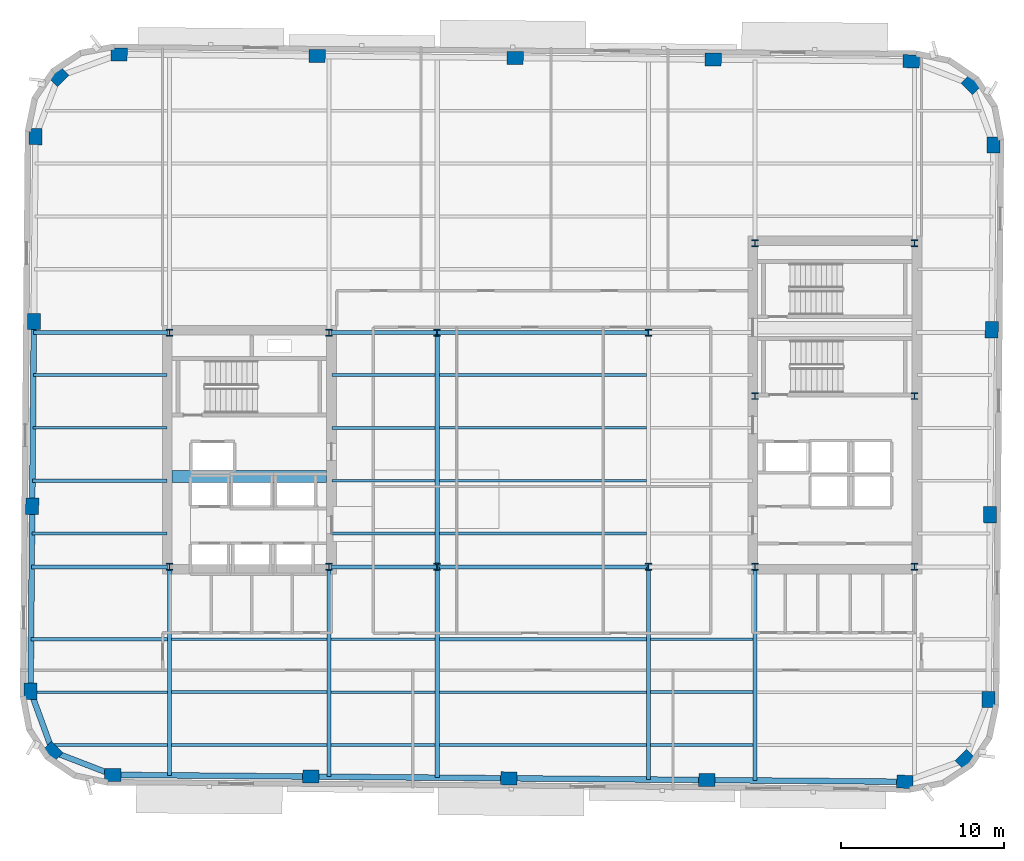
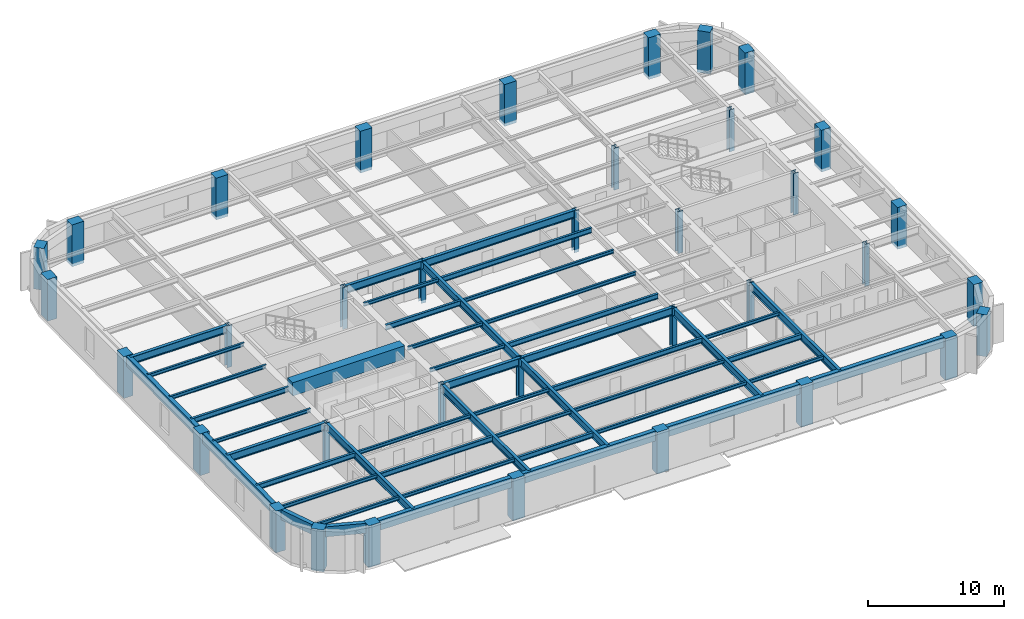
# One storey, part 1 of 12: 48 beams, 36 columns.
"""IFC4 building model written with IfcOpenShell, lengths in metres."""

from ifc_helpers import new_model, si_unit, direction, frame, origin, origin_2d, place, context, subcontext, project, spatial, rectangle, hollow_rectangle, i_section, extrude, material, material_profile, profile_set, type_object, element, save


model = new_model("IFC4")

# Units and contexts
model_context = context("Model", 3, precision=1e-05, world=origin(), true_north=direction((0.0, 1.0)))
body_context = subcontext(model_context, "Body", "Model", "MODEL_VIEW")
ifc_project = project(units=[si_unit("LENGTHUNIT", "METRE"), si_unit("AREAUNIT", "SQUARE_METRE"), si_unit("VOLUMEUNIT", "CUBIC_METRE"), si_unit("PLANEANGLEUNIT", "RADIAN"), si_unit("MASSUNIT", "GRAM", prefix="KILO")], contexts=[model_context])

# Site, building, storey
site_placement = place(None, origin())
site = spatial("IfcSite", under=ifc_project, at=site_placement, CompositionType="ELEMENT")
building_placement = place(site_placement, origin())
building = spatial("IfcBuilding", under=site, at=building_placement, Name="Kolvaren Arena Tower", CompositionType="ELEMENT")
storey_placement = place(building_placement, frame((0.0, 0.0, 188.449951171875)))
storey = spatial("IfcBuildingStorey", under=building, at=storey_placement, Name="L45", CompositionType="ELEMENT", Elevation=188.449951171875)

# Columns
ifc_material_1 = material(Name="Precast concrete C60/75", Category="concrete")
ifc_material_profile_1 = material_profile(ifc_material_1, rectangle(XDim=1.0, YDim=0.800048828125, at=origin_2d()), Name="RC-1000x800")
ifc_profile_set_1 = profile_set([ifc_material_profile_1], Name="Precast concrete C60/75")
column_type_1 = type_object("IfcColumnType", Name="EXCOL-Z3", PredefinedType="COLUMN", material=ifc_profile_set_1)
for number, where, z_axis, x_axis, name in (
    (1, (11.0576171875, 6.663330078125, -0.27001953125), (0.0, 0.0, 1.0), (0.999961923064, -0.008726535498, 0.0), "Exoskeleton Perimeter Column 01 (L45)"),
    (2, (23.232177734375, 6.55712890625, -0.27001953125), (0.0, 0.0, 1.0), (0.999961923064, -0.008726535498, 0.0), "Exoskeleton Perimeter Column 02 (L45)"),
    (3, (35.40673828125, 6.45068359375, -0.27001953125), (0.0, 0.0, 1.0), (0.999961923064, -0.008726535498, 0.0), "Exoskeleton Perimeter Column 03 (L45)"),
    (4, (47.581298828125, 6.344482421875, -0.27001953125), (0.0, 0.0, 1.0), (0.999961923064, -0.008726535498, 0.0), "Exoskeleton Perimeter Column 04 (L45)"),
    (5, (59.755859375, 6.23828125, -0.27001953125), (0.0, 0.0, 1.0), (0.999961923064, -0.008726535498, 0.0), "Exoskeleton Perimeter Column 05 (L45)"),
    (6, (63.4765625, 7.59716796875, -0.27001953125), (0.0, 0.0, 1.0), (0.713250449154, 0.7009092643, 0.0), "Exoskeleton Perimeter Column 06 (L45)"),
    (7, (64.900146484375, 11.293701171875, -0.27001953125), (0.0, 0.0, 1.0), (0.008726535498, 0.999961923064, 0.0), "Exoskeleton Perimeter Column 07 (L45)"),
    (8, (64.999267578125, 22.659912109375, -0.27001953125), (0.0, 0.0, 1.0), (0.008726535498, 0.999961923064, 0.0), "Exoskeleton Perimeter Column 08 (L45)"),
    (9, (65.098388671875, 34.026123046875, -0.27001953125), (0.0, 0.0, 1.0), (0.008726535498, 0.999961923064, 0.0), "Exoskeleton Perimeter Column 09 (L45)"),
    (10, (65.19775390625, 45.392333984375, -0.27001953125), (0.0, 0.0, 1.0), (0.008726535498, 0.999961923064, 0.0), "Exoskeleton Perimeter Column 10 (L45)"),
    (11, (63.8388671875, 49.113037109375, -0.27001953125), (0.0, 0.0, 1.0), (-0.7009092643, 0.713250449154, 0.0), "Exoskeleton Perimeter Column 11 (L45)"),
    (12, (60.142333984375, 50.53662109375, -0.27001953125), (0.0, 0.0, 1.0), (0.999961923064, -0.008726535498, 0.0), "Exoskeleton Perimeter Column 12 (L45)"),
    (13, (47.9677734375, 50.642822265625, -0.27001953125), (0.0, 0.0, 1.0), (0.999961923064, -0.008726535498, 0.0), "Exoskeleton Perimeter Column 13 (L45)"),
    (14, (35.793212890625, 50.749267578125, -0.27001953125), (0.0, 0.0, 1.0), (0.999961923064, -0.008726535498, 0.0), "Exoskeleton Perimeter Column 14 (L45)"),
    (15, (23.618896484375, 50.85546875, -0.27001953125), (0.0, 0.0, 1.0), (0.999961923064, -0.008726535498, 0.0), "Exoskeleton Perimeter Column 15 (L45)"),
    (16, (11.444091796875, 50.961669921875, -0.27001953125), (0.0, 0.0, 1.0), (0.999961923064, -0.008726535498, 0.0), "Exoskeleton Perimeter Column 16 (L45)"),
    (17, (7.723388671875, 49.602783203125, -0.27001953125), (0.0, 0.0, 1.0), (0.713250449154, 0.7009092643, 0.0), "Exoskeleton Perimeter Column 17 (L45)"),
    (18, (6.2998046875, 45.90625, -0.27001953125), (0.0, 0.0, 1.0), (0.008726535498, 0.999961923064, 0.0), "Exoskeleton Perimeter Column 18 (L45)"),
    (19, (6.20068359375, 34.5400390625, -0.27001953125), (0.0, 0.0, 1.0), (0.008726535498, 0.999961923064, 0.0), "Exoskeleton Perimeter Column 19 (L45)"),
    (20, (6.1015625, 23.173828125, -0.27001953125), (0.0, 0.0, 1.0), (0.008726535498, 0.999961923064, 0.0), "Exoskeleton Perimeter Column 20 (L45)"),
    (21, (6.002197265625, 11.8076171875, -0.27001953125), (0.0, 0.0, 1.0), (0.008726535498, 0.999961923064, 0.0), "Exoskeleton Perimeter Column 21 (L45)"),
    (22, (7.361083984375, 8.0869140625, -0.27001953125), (0.0, 0.0, 1.0), (-0.7009092643, 0.713250449154, 0.0), "Exoskeleton Perimeter Column 22 (L45)"),
):
    element("IfcColumn", number, at=place(storey_placement, frame(where, z_axis=z_axis, x_axis=x_axis)), inside=storey, type_object=column_type_1, Name=name, PredefinedType="COLUMN", context=body_context, shape_type="SweptSolid", body=[
        extrude(rectangle(XDim=1.0, YDim=0.800048828125, at=origin_2d()), origin(), (0.0, 0.0, 1.0), 3.75),
    ])
ifc_material_2 = material(Name="Steel ASTM A913 Grade 65", Category="steel")
ifc_material_profile_2 = material_profile(ifc_material_2, i_section(OverallWidth=0.406005859375, OverallDepth=0.416015625, WebThickness=0.02978515625, FlangeThickness=0.048095703125, FilletRadius=0.02001953125, at=origin_2d()), Name="W360x382")
ifc_profile_set_2 = profile_set([ifc_material_profile_2], Name="Steel ASTM A913 Grade 65")
column_type_2 = type_object("IfcColumnType", Name="SCOL-Z3", PredefinedType="COLUMN", material=ifc_profile_set_2)
for number, where, z_axis, x_axis, name in (
    (23, (14.550048828125, 19.449951171875, -0.27001953125), (0.0, 0.0, 1.0), (1.0, 0.0, 0.0), "Core Boundary Column WC-SW (L45)"),
    (24, (24.35009765625, 19.449951171875, -0.27001953125), (0.0, 0.0, 1.0), (1.0, 0.0, 0.0), "Core Boundary Column WC-SE (L45)"),
    (25, (14.550048828125, 33.85009765625, -0.27001953125), (0.0, 0.0, 1.0), (1.0, 0.0, 0.0), "Core Boundary Column WC-NW (L45)"),
    (26, (24.35009765625, 33.85009765625, -0.27001953125), (0.0, 0.0, 1.0), (1.0, 0.0, 0.0), "Core Boundary Column WC-NE (L45)"),
    (27, (50.550048828125, 19.449951171875, -0.27001953125), (0.0, 0.0, 1.0), (1.0, 0.0, 0.0), "Core Boundary Column EC-SW (L45)"),
    (28, (60.35009765625, 19.449951171875, -0.27001953125), (0.0, 0.0, 1.0), (1.0, 0.0, 0.0), "Core Boundary Column EC-SE (L45)"),
    (29, (50.550048828125, 29.949951171875, -0.27001953125), (0.0, 0.0, 1.0), (1.0, 0.0, 0.0), "Core Boundary Column EC-MW (L45)"),
    (30, (60.35009765625, 29.949951171875, -0.27001953125), (0.0, 0.0, 1.0), (1.0, 0.0, 0.0), "Core Boundary Column EC-ME (L45)"),
    (31, (50.550048828125, 39.35009765625, -0.27001953125), (0.0, 0.0, 1.0), (1.0, 0.0, 0.0), "Core Boundary Column EC-NW (L45)"),
    (32, (60.35009765625, 39.35009765625, -0.27001953125), (0.0, 0.0, 1.0), (1.0, 0.0, 0.0), "Core Boundary Column EC-NE (L45)"),
    (33, (31.0, 19.449951171875, -0.27001953125), (0.0, 0.0, 1.0), (1.0, 0.0, 0.0), "Interior Gravity Column TC-SW (L45)"),
    (34, (44.0, 19.449951171875, -0.27001953125), (0.0, 0.0, 1.0), (1.0, 0.0, 0.0), "Interior Gravity Column TC-SE (L45)"),
    (35, (31.0, 33.85009765625, -0.27001953125), (0.0, 0.0, 1.0), (1.0, 0.0, 0.0), "Interior Gravity Column TC-NW (L45)"),
    (36, (44.0, 33.85009765625, -0.27001953125), (0.0, 0.0, 1.0), (1.0, 0.0, 0.0), "Interior Gravity Column TC-NE (L45)"),
):
    element("IfcColumn", number, at=place(storey_placement, frame(where, z_axis=z_axis, x_axis=x_axis)), inside=storey, type_object=column_type_2, Name=name, PredefinedType="COLUMN", context=body_context, shape_type="SweptSolid", body=[
        extrude(i_section(OverallWidth=0.406005859375, OverallDepth=0.416015625, WebThickness=0.02978515625, FlangeThickness=0.048095703125, FilletRadius=0.02001953125, at=origin_2d()), origin(), (0.0, 0.0, 1.0), 3.75),
    ])

# Beams
ifc_material_3 = material(Name="Steel CSA G40.21 350W", Category="steel")
ifc_material_profile_3 = material_profile(ifc_material_3, i_section(OverallWidth=0.193115234375, OverallDepth=0.462890625, WebThickness=0.0107421875, FlangeThickness=0.0205078125, FilletRadius=0.012939453125, at=origin_2d()), Name="W460x113")
ifc_profile_set_3 = profile_set([ifc_material_profile_3], Name="Steel CSA G40.21 350W")
beam_type_1 = type_object("IfcBeamType", Name="BEAM-F2", PredefinedType="BEAM", material=ifc_profile_set_3)
beam_1_placement = place(storey_placement, frame((24.4775390625, 8.5, 3.24853515625), z_axis=(1.0, 0.0, 0.0), x_axis=(0.0, 1.0, 0.0)))
element("IfcBeam", 37, at=beam_1_placement, inside=storey, type_object=beam_type_1, Name="Composite Floor Beam (L45)", PredefinedType="BEAM", context=body_context, shape_type="SweptSolid", body=[
    extrude(i_section(OverallWidth=0.193115234375, OverallDepth=0.462890625, WebThickness=0.0107421875, FlangeThickness=0.0205078125, FilletRadius=0.012939453125, at=origin_2d()), origin(), (0.0, 0.0, 1.0), 6.39501953125),
])
beam_2_placement = place(storey_placement, frame((14.677490234375, 11.75, 3.24853515625), z_axis=(1.0, 0.0, 0.0), x_axis=(0.0, 1.0, 0.0)))
element("IfcBeam", 38, at=beam_2_placement, inside=storey, type_object=beam_type_1, Name="Composite Floor Beam (L45)", PredefinedType="BEAM", context=body_context, shape_type="SweptSolid", body=[
    extrude(i_section(OverallWidth=0.193115234375, OverallDepth=0.462890625, WebThickness=0.0107421875, FlangeThickness=0.0205078125, FilletRadius=0.012939453125, at=origin_2d()), origin(), (0.0, 0.0, 1.0), 9.544921875),
])
beam_3_placement = place(storey_placement, frame((44.12744140625, 11.75, 3.24853515625), z_axis=(1.0, 0.0, 0.0), x_axis=(0.0, 1.0, 0.0)))
element("IfcBeam", 39, at=beam_3_placement, inside=storey, type_object=beam_type_1, Name="Composite Floor Beam (L45)", PredefinedType="BEAM", context=body_context, shape_type="SweptSolid", body=[
    extrude(i_section(OverallWidth=0.193115234375, OverallDepth=0.462890625, WebThickness=0.0107421875, FlangeThickness=0.0205078125, FilletRadius=0.012939453125, at=origin_2d()), origin(), (0.0, 0.0, 1.0), 6.295166015625),
])
beam_4_placement = place(storey_placement, frame((6.0302734375, 15.0, 3.24853515625), z_axis=(1.0, 0.0, 0.0), x_axis=(0.0, 1.0, 0.0)))
element("IfcBeam", 40, at=beam_4_placement, inside=storey, type_object=beam_type_1, Name="Composite Floor Beam (L45)", PredefinedType="BEAM", context=body_context, shape_type="SweptSolid", body=[
    extrude(i_section(OverallWidth=0.193115234375, OverallDepth=0.462890625, WebThickness=0.0107421875, FlangeThickness=0.0205078125, FilletRadius=0.012939453125, at=origin_2d()), origin(), (0.0, 0.0, 1.0), 8.392333984375),
])
for number, where, z_axis, x_axis, name in (
    (41, (31.12744140625, 15.0, 3.24853515625), (1.0, 0.0, 0.0), (0.0, 1.0, 0.0), "Composite Floor Beam (L45)"),
    (42, (31.12744140625, 21.5, 3.24853515625), (1.0, 0.0, 0.0), (0.0, 1.0, 0.0), "Composite Floor Beam (L45)"),
):
    element("IfcBeam", number, at=place(storey_placement, frame(where, z_axis=z_axis, x_axis=x_axis)), inside=storey, type_object=beam_type_1, Name=name, PredefinedType="BEAM", context=body_context, shape_type="SweptSolid", body=[
        extrude(i_section(OverallWidth=0.193115234375, OverallDepth=0.462890625, WebThickness=0.0107421875, FlangeThickness=0.0205078125, FilletRadius=0.012939453125, at=origin_2d()), origin(), (0.0, 0.0, 1.0), 12.7451171875),
    ])
beam_5_placement = place(storey_placement, frame((6.115234375, 24.75, 3.24853515625), z_axis=(1.0, 0.0, 0.0), x_axis=(0.0, 1.0, 0.0)))
element("IfcBeam", 43, at=beam_5_placement, inside=storey, type_object=beam_type_1, Name="Composite Floor Beam (L45)", PredefinedType="BEAM", context=body_context, shape_type="SweptSolid", body=[
    extrude(i_section(OverallWidth=0.193115234375, OverallDepth=0.462890625, WebThickness=0.0107421875, FlangeThickness=0.0205078125, FilletRadius=0.012939453125, at=origin_2d()), origin(), (0.0, 0.0, 1.0), 8.2646484375),
])
beam_6_placement = place(storey_placement, frame((24.52001953125, 28.0, 3.24853515625), z_axis=(1.0, 0.0, 0.0), x_axis=(0.0, 1.0, 0.0)))
element("IfcBeam", 44, at=beam_6_placement, inside=storey, type_object=beam_type_1, Name="Composite Floor Beam (L45)", PredefinedType="BEAM", context=body_context, shape_type="SweptSolid", body=[
    extrude(i_section(OverallWidth=0.193115234375, OverallDepth=0.462890625, WebThickness=0.0107421875, FlangeThickness=0.0205078125, FilletRadius=0.012939453125, at=origin_2d()), origin(), (0.0, 0.0, 1.0), 6.3525390625),
])
beam_7_placement = place(storey_placement, frame((31.12744140625, 31.25, 3.24853515625), z_axis=(1.0, 0.0, 0.0), x_axis=(0.0, 1.0, 0.0)))
element("IfcBeam", 45, at=beam_7_placement, inside=storey, type_object=beam_type_1, Name="Composite Floor Beam (L45)", PredefinedType="BEAM", context=body_context, shape_type="SweptSolid", body=[
    extrude(i_section(OverallWidth=0.193115234375, OverallDepth=0.462890625, WebThickness=0.0107421875, FlangeThickness=0.0205078125, FilletRadius=0.012939453125, at=origin_2d()), origin(), (0.0, 0.0, 1.0), 12.7451171875),
])
ifc_material_4 = material(Name="Concrete 60 MPa", Category="concrete")
ifc_material_profile_4 = material_profile(ifc_material_4, rectangle(XDim=0.75, YDim=1.199951171875, at=origin_2d()), Name="RC-750x1200")
ifc_profile_set_4 = profile_set([ifc_material_profile_4], Name="Concrete 60 MPa")
beam_type_2 = type_object("IfcBeamType", Name="CB-CORE-2", PredefinedType="BEAM", material=ifc_profile_set_4)
beam_8_placement = place(storey_placement, frame((14.699951171875, 25.0, 3.150146484375), z_axis=(1.0, 0.0, 0.0), x_axis=(0.0, 1.0, 0.0)))
element("IfcBeam", 46, at=beam_8_placement, inside=storey, type_object=beam_type_2, Name="West Core Coupling Beam (L45)", PredefinedType="BEAM", context=body_context, shape_type="SweptSolid", body=[
    extrude(rectangle(XDim=0.75, YDim=1.199951171875, at=origin_2d()), origin(), (0.0, 0.0, 1.0), 9.5),
])
ifc_material_profile_5 = material_profile(ifc_material_3, i_section(OverallWidth=0.2548828125, OverallDepth=0.695068359375, WebThickness=0.01708984375, FlangeThickness=0.02978515625, FilletRadius=0.01611328125, at=origin_2d()), Name="W690x217")
ifc_profile_set_5 = profile_set([ifc_material_profile_5], Name="Steel CSA G40.21 350W")
beam_type_3 = type_object("IfcBeamType", Name="GIRD-T2", PredefinedType="BEAM", material=ifc_profile_set_5)
beam_9_placement = place(storey_placement, frame((6.069091796875, 19.449951171875, 3.132568359375), z_axis=(1.0, 0.0, 0.0), x_axis=(0.0, 1.0, 0.0)))
element("IfcBeam", 47, at=beam_9_placement, inside=storey, type_object=beam_type_3, Name="Primary Floor Girder (L45)", PredefinedType="BEAM", context=body_context, shape_type="SweptSolid", body=[
    extrude(i_section(OverallWidth=0.2548828125, OverallDepth=0.695068359375, WebThickness=0.01708984375, FlangeThickness=0.02978515625, FilletRadius=0.01611328125, at=origin_2d()), origin(), (0.0, 0.0, 1.0), 8.350830078125),
])
beam_10_placement = place(storey_placement, frame((24.47998046875, 19.449951171875, 3.132568359375), z_axis=(1.0, 0.0, 0.0), x_axis=(0.0, 1.0, 0.0)))
element("IfcBeam", 48, at=beam_10_placement, inside=storey, type_object=beam_type_3, Name="Primary Floor Girder (L45)", PredefinedType="BEAM", context=body_context, shape_type="SweptSolid", body=[
    extrude(i_section(OverallWidth=0.2548828125, OverallDepth=0.695068359375, WebThickness=0.01708984375, FlangeThickness=0.02978515625, FilletRadius=0.01611328125, at=origin_2d()), origin(), (0.0, 0.0, 1.0), 6.52001953125),
])
beam_11_placement = place(storey_placement, frame((31.0, 19.449951171875, 3.132568359375), z_axis=(1.0, 0.0, 0.0), x_axis=(0.0, 1.0, 0.0)))
element("IfcBeam", 49, at=beam_11_placement, inside=storey, type_object=beam_type_3, Name="Primary Floor Girder (L45)", PredefinedType="BEAM", context=body_context, shape_type="SweptSolid", body=[
    extrude(i_section(OverallWidth=0.2548828125, OverallDepth=0.695068359375, WebThickness=0.01708984375, FlangeThickness=0.02978515625, FilletRadius=0.01611328125, at=origin_2d()), origin(), (0.0, 0.0, 1.0), 13.0),
])
beam_12_placement = place(storey_placement, frame((6.194580078125, 33.85009765625, 3.132568359375), z_axis=(1.0, 0.0, 0.0), x_axis=(0.0, 1.0, 0.0)))
element("IfcBeam", 50, at=beam_12_placement, inside=storey, type_object=beam_type_3, Name="Primary Floor Girder (L45)", PredefinedType="BEAM", context=body_context, shape_type="SweptSolid", body=[
    extrude(i_section(OverallWidth=0.2548828125, OverallDepth=0.695068359375, WebThickness=0.01708984375, FlangeThickness=0.02978515625, FilletRadius=0.01611328125, at=origin_2d()), origin(), (0.0, 0.0, 1.0), 8.225341796875),
])
beam_13_placement = place(storey_placement, frame((24.47998046875, 33.85009765625, 3.132568359375), z_axis=(1.0, 0.0, 0.0), x_axis=(0.0, 1.0, 0.0)))
element("IfcBeam", 51, at=beam_13_placement, inside=storey, type_object=beam_type_3, Name="Primary Floor Girder (L45)", PredefinedType="BEAM", context=body_context, shape_type="SweptSolid", body=[
    extrude(i_section(OverallWidth=0.2548828125, OverallDepth=0.695068359375, WebThickness=0.01708984375, FlangeThickness=0.02978515625, FilletRadius=0.01611328125, at=origin_2d()), origin(), (0.0, 0.0, 1.0), 6.52001953125),
])
beam_14_placement = place(storey_placement, frame((31.0, 33.85009765625, 3.132568359375), z_axis=(1.0, 0.0, 0.0), x_axis=(0.0, 1.0, 0.0)))
element("IfcBeam", 52, at=beam_14_placement, inside=storey, type_object=beam_type_3, Name="Primary Floor Girder (L45)", PredefinedType="BEAM", context=body_context, shape_type="SweptSolid", body=[
    extrude(i_section(OverallWidth=0.2548828125, OverallDepth=0.695068359375, WebThickness=0.01708984375, FlangeThickness=0.02978515625, FilletRadius=0.01611328125, at=origin_2d()), origin(), (0.0, 0.0, 1.0), 13.0),
])
beam_15_placement = place(storey_placement, frame((14.550048828125, 6.6328125, 3.132568359375), z_axis=(0.0, 1.0, 0.0), x_axis=(-1.0, 0.0, 0.0)))
element("IfcBeam", 53, at=beam_15_placement, inside=storey, type_object=beam_type_3, Name="Primary Floor Girder (L45)", PredefinedType="BEAM", context=body_context, shape_type="SweptSolid", body=[
    extrude(i_section(OverallWidth=0.2548828125, OverallDepth=0.695068359375, WebThickness=0.01708984375, FlangeThickness=0.02978515625, FilletRadius=0.01611328125, at=origin_2d()), origin(), (0.0, 0.0, 1.0), 12.687255859375),
])
beam_16_placement = place(storey_placement, frame((24.35009765625, 6.54736328125, 3.132568359375), z_axis=(0.0, 1.0, 0.0), x_axis=(-1.0, 0.0, 0.0)))
element("IfcBeam", 54, at=beam_16_placement, inside=storey, type_object=beam_type_3, Name="Primary Floor Girder (L45)", PredefinedType="BEAM", context=body_context, shape_type="SweptSolid", body=[
    extrude(i_section(OverallWidth=0.2548828125, OverallDepth=0.695068359375, WebThickness=0.01708984375, FlangeThickness=0.02978515625, FilletRadius=0.01611328125, at=origin_2d()), origin(), (0.0, 0.0, 1.0), 12.772705078125),
])
beam_17_placement = place(storey_placement, frame((31.0, 6.4892578125, 3.132568359375), z_axis=(0.0, 1.0, 0.0), x_axis=(-1.0, 0.0, 0.0)))
element("IfcBeam", 55, at=beam_17_placement, inside=storey, type_object=beam_type_3, Name="Primary Floor Girder (L45)", PredefinedType="BEAM", context=body_context, shape_type="SweptSolid", body=[
    extrude(i_section(OverallWidth=0.2548828125, OverallDepth=0.695068359375, WebThickness=0.01708984375, FlangeThickness=0.02978515625, FilletRadius=0.01611328125, at=origin_2d()), origin(), (0.0, 0.0, 1.0), 12.960693359375),
])
beam_18_placement = place(storey_placement, frame((31.0, 19.449951171875, 3.132568359375), z_axis=(0.0, 1.0, 0.0), x_axis=(-1.0, 0.0, 0.0)))
element("IfcBeam", 56, at=beam_18_placement, inside=storey, type_object=beam_type_3, Name="Primary Floor Girder (L45)", PredefinedType="BEAM", context=body_context, shape_type="SweptSolid", body=[
    extrude(i_section(OverallWidth=0.2548828125, OverallDepth=0.695068359375, WebThickness=0.01708984375, FlangeThickness=0.02978515625, FilletRadius=0.01611328125, at=origin_2d()), origin(), (0.0, 0.0, 1.0), 14.400146484375),
])
beam_19_placement = place(storey_placement, frame((44.0, 6.375732421875, 3.132568359375), z_axis=(0.0, 1.0, 0.0), x_axis=(-1.0, 0.0, 0.0)))
element("IfcBeam", 57, at=beam_19_placement, inside=storey, type_object=beam_type_3, Name="Primary Floor Girder (L45)", PredefinedType="BEAM", context=body_context, shape_type="SweptSolid", body=[
    extrude(i_section(OverallWidth=0.2548828125, OverallDepth=0.695068359375, WebThickness=0.01708984375, FlangeThickness=0.02978515625, FilletRadius=0.01611328125, at=origin_2d()), origin(), (0.0, 0.0, 1.0), 13.07421875),
])
beam_20_placement = place(storey_placement, frame((50.550048828125, 6.318603515625, 3.132568359375), z_axis=(0.0, 1.0, 0.0), x_axis=(-1.0, 0.0, 0.0)))
element("IfcBeam", 58, at=beam_20_placement, inside=storey, type_object=beam_type_3, Name="Primary Floor Girder (L45)", PredefinedType="BEAM", context=body_context, shape_type="SweptSolid", body=[
    extrude(i_section(OverallWidth=0.2548828125, OverallDepth=0.695068359375, WebThickness=0.01708984375, FlangeThickness=0.02978515625, FilletRadius=0.01611328125, at=origin_2d()), origin(), (0.0, 0.0, 1.0), 13.00146484375),
])
ifc_material_profile_6 = material_profile(ifc_material_3, i_section(OverallWidth=0.1669921875, OverallDepth=0.31689453125, WebThickness=0.007568359375, FlangeThickness=0.01318359375, FilletRadius=0.010009765625, at=origin_2d()), Name="W310x52")
ifc_profile_set_6 = profile_set([ifc_material_profile_6], Name="Steel CSA G40.21 350W")
beam_type_4 = type_object("IfcBeamType", Name="JOIST-02", PredefinedType="JOIST", material=ifc_profile_set_6)
beam_21_placement = place(storey_placement, frame((7.210205078125, 8.5, 3.321533203125), z_axis=(1.0, 0.0, 0.0), x_axis=(0.0, 1.0, 0.0)))
element("IfcBeam", 59, at=beam_21_placement, inside=storey, type_object=beam_type_4, Name="Composite Floor Joist (L45)", PredefinedType="JOIST", context=body_context, shape_type="SweptSolid", body=[
    extrude(i_section(OverallWidth=0.1669921875, OverallDepth=0.31689453125, WebThickness=0.007568359375, FlangeThickness=0.01318359375, FilletRadius=0.010009765625, at=origin_2d()), origin(), (0.0, 0.0, 1.0), 7.21240234375),
])
beam_22_placement = place(storey_placement, frame((14.677490234375, 8.5, 3.321533203125), z_axis=(1.0, 0.0, 0.0), x_axis=(0.0, 1.0, 0.0)))
element("IfcBeam", 60, at=beam_22_placement, inside=storey, type_object=beam_type_4, Name="Composite Floor Joist (L45)", PredefinedType="JOIST", context=body_context, shape_type="SweptSolid", body=[
    extrude(i_section(OverallWidth=0.1669921875, OverallDepth=0.31689453125, WebThickness=0.007568359375, FlangeThickness=0.01318359375, FilletRadius=0.010009765625, at=origin_2d()), origin(), (0.0, 0.0, 1.0), 9.544921875),
])
beam_23_placement = place(storey_placement, frame((31.12744140625, 8.5, 3.321533203125), z_axis=(1.0, 0.0, 0.0), x_axis=(0.0, 1.0, 0.0)))
element("IfcBeam", 61, at=beam_23_placement, inside=storey, type_object=beam_type_4, Name="Composite Floor Joist (L45)", PredefinedType="JOIST", context=body_context, shape_type="SweptSolid", body=[
    extrude(i_section(OverallWidth=0.1669921875, OverallDepth=0.31689453125, WebThickness=0.007568359375, FlangeThickness=0.01318359375, FilletRadius=0.010009765625, at=origin_2d()), origin(), (0.0, 0.0, 1.0), 12.7451171875),
])
beam_24_placement = place(storey_placement, frame((44.12744140625, 8.5, 3.321533203125), z_axis=(1.0, 0.0, 0.0), x_axis=(0.0, 1.0, 0.0)))
element("IfcBeam", 62, at=beam_24_placement, inside=storey, type_object=beam_type_4, Name="Composite Floor Joist (L45)", PredefinedType="JOIST", context=body_context, shape_type="SweptSolid", body=[
    extrude(i_section(OverallWidth=0.1669921875, OverallDepth=0.31689453125, WebThickness=0.007568359375, FlangeThickness=0.01318359375, FilletRadius=0.010009765625, at=origin_2d()), origin(), (0.0, 0.0, 1.0), 6.295166015625),
])
beam_25_placement = place(storey_placement, frame((6.023193359375, 11.75, 3.321533203125), z_axis=(1.0, 0.0, 0.0), x_axis=(0.0, 1.0, 0.0)))
element("IfcBeam", 63, at=beam_25_placement, inside=storey, type_object=beam_type_4, Name="Composite Floor Joist (L45)", PredefinedType="JOIST", context=body_context, shape_type="SweptSolid", body=[
    extrude(i_section(OverallWidth=0.1669921875, OverallDepth=0.31689453125, WebThickness=0.007568359375, FlangeThickness=0.01318359375, FilletRadius=0.010009765625, at=origin_2d()), origin(), (0.0, 0.0, 1.0), 8.3994140625),
])
beam_26_placement = place(storey_placement, frame((24.4775390625, 11.75, 3.321533203125), z_axis=(1.0, 0.0, 0.0), x_axis=(0.0, 1.0, 0.0)))
element("IfcBeam", 64, at=beam_26_placement, inside=storey, type_object=beam_type_4, Name="Composite Floor Joist (L45)", PredefinedType="JOIST", context=body_context, shape_type="SweptSolid", body=[
    extrude(i_section(OverallWidth=0.1669921875, OverallDepth=0.31689453125, WebThickness=0.007568359375, FlangeThickness=0.01318359375, FilletRadius=0.010009765625, at=origin_2d()), origin(), (0.0, 0.0, 1.0), 6.39501953125),
])
beam_27_placement = place(storey_placement, frame((31.12744140625, 11.75, 3.321533203125), z_axis=(1.0, 0.0, 0.0), x_axis=(0.0, 1.0, 0.0)))
element("IfcBeam", 65, at=beam_27_placement, inside=storey, type_object=beam_type_4, Name="Composite Floor Joist (L45)", PredefinedType="JOIST", context=body_context, shape_type="SweptSolid", body=[
    extrude(i_section(OverallWidth=0.1669921875, OverallDepth=0.31689453125, WebThickness=0.007568359375, FlangeThickness=0.01318359375, FilletRadius=0.010009765625, at=origin_2d()), origin(), (0.0, 0.0, 1.0), 12.7451171875),
])
beam_28_placement = place(storey_placement, frame((14.677490234375, 15.0, 3.321533203125), z_axis=(1.0, 0.0, 0.0), x_axis=(0.0, 1.0, 0.0)))
element("IfcBeam", 66, at=beam_28_placement, inside=storey, type_object=beam_type_4, Name="Composite Floor Joist (L45)", PredefinedType="JOIST", context=body_context, shape_type="SweptSolid", body=[
    extrude(i_section(OverallWidth=0.1669921875, OverallDepth=0.31689453125, WebThickness=0.007568359375, FlangeThickness=0.01318359375, FilletRadius=0.010009765625, at=origin_2d()), origin(), (0.0, 0.0, 1.0), 9.544921875),
])
beam_29_placement = place(storey_placement, frame((24.4775390625, 15.0, 3.321533203125), z_axis=(1.0, 0.0, 0.0), x_axis=(0.0, 1.0, 0.0)))
element("IfcBeam", 67, at=beam_29_placement, inside=storey, type_object=beam_type_4, Name="Composite Floor Joist (L45)", PredefinedType="JOIST", context=body_context, shape_type="SweptSolid", body=[
    extrude(i_section(OverallWidth=0.1669921875, OverallDepth=0.31689453125, WebThickness=0.007568359375, FlangeThickness=0.01318359375, FilletRadius=0.010009765625, at=origin_2d()), origin(), (0.0, 0.0, 1.0), 6.39501953125),
])
beam_30_placement = place(storey_placement, frame((44.12744140625, 15.0, 3.321533203125), z_axis=(1.0, 0.0, 0.0), x_axis=(0.0, 1.0, 0.0)))
element("IfcBeam", 68, at=beam_30_placement, inside=storey, type_object=beam_type_4, Name="Composite Floor Joist (L45)", PredefinedType="JOIST", context=body_context, shape_type="SweptSolid", body=[
    extrude(i_section(OverallWidth=0.1669921875, OverallDepth=0.31689453125, WebThickness=0.007568359375, FlangeThickness=0.01318359375, FilletRadius=0.010009765625, at=origin_2d()), origin(), (0.0, 0.0, 1.0), 6.295166015625),
])
beam_31_placement = place(storey_placement, frame((6.0869140625, 21.5, 3.321533203125), z_axis=(1.0, 0.0, 0.0), x_axis=(0.0, 1.0, 0.0)))
element("IfcBeam", 69, at=beam_31_placement, inside=storey, type_object=beam_type_4, Name="Composite Floor Joist (L45)", PredefinedType="JOIST", context=body_context, shape_type="SweptSolid", body=[
    extrude(i_section(OverallWidth=0.1669921875, OverallDepth=0.31689453125, WebThickness=0.007568359375, FlangeThickness=0.01318359375, FilletRadius=0.010009765625, at=origin_2d()), origin(), (0.0, 0.0, 1.0), 8.29296875),
])
for number, where, z_axis, x_axis, name in (
    (70, (24.52001953125, 21.5, 3.321533203125), (1.0, 0.0, 0.0), (0.0, 1.0, 0.0), "Composite Floor Joist (L45)"),
    (71, (24.52001953125, 24.75, 3.321533203125), (1.0, 0.0, 0.0), (0.0, 1.0, 0.0), "Composite Floor Joist (L45)"),
):
    element("IfcBeam", number, at=place(storey_placement, frame(where, z_axis=z_axis, x_axis=x_axis)), inside=storey, type_object=beam_type_4, Name=name, PredefinedType="JOIST", context=body_context, shape_type="SweptSolid", body=[
        extrude(i_section(OverallWidth=0.1669921875, OverallDepth=0.31689453125, WebThickness=0.007568359375, FlangeThickness=0.01318359375, FilletRadius=0.010009765625, at=origin_2d()), origin(), (0.0, 0.0, 1.0), 6.3525390625),
    ])
beam_32_placement = place(storey_placement, frame((31.12744140625, 24.75, 3.321533203125), z_axis=(1.0, 0.0, 0.0), x_axis=(0.0, 1.0, 0.0)))
element("IfcBeam", 72, at=beam_32_placement, inside=storey, type_object=beam_type_4, Name="Composite Floor Joist (L45)", PredefinedType="JOIST", context=body_context, shape_type="SweptSolid", body=[
    extrude(i_section(OverallWidth=0.1669921875, OverallDepth=0.31689453125, WebThickness=0.007568359375, FlangeThickness=0.01318359375, FilletRadius=0.010009765625, at=origin_2d()), origin(), (0.0, 0.0, 1.0), 12.7451171875),
])
beam_33_placement = place(storey_placement, frame((6.1435546875, 28.0, 3.321533203125), z_axis=(1.0, 0.0, 0.0), x_axis=(0.0, 1.0, 0.0)))
element("IfcBeam", 73, at=beam_33_placement, inside=storey, type_object=beam_type_4, Name="Composite Floor Joist (L45)", PredefinedType="JOIST", context=body_context, shape_type="SweptSolid", body=[
    extrude(i_section(OverallWidth=0.1669921875, OverallDepth=0.31689453125, WebThickness=0.007568359375, FlangeThickness=0.01318359375, FilletRadius=0.010009765625, at=origin_2d()), origin(), (0.0, 0.0, 1.0), 8.236328125),
])
beam_34_placement = place(storey_placement, frame((31.12744140625, 28.0, 3.321533203125), z_axis=(1.0, 0.0, 0.0), x_axis=(0.0, 1.0, 0.0)))
element("IfcBeam", 74, at=beam_34_placement, inside=storey, type_object=beam_type_4, Name="Composite Floor Joist (L45)", PredefinedType="JOIST", context=body_context, shape_type="SweptSolid", body=[
    extrude(i_section(OverallWidth=0.1669921875, OverallDepth=0.31689453125, WebThickness=0.007568359375, FlangeThickness=0.01318359375, FilletRadius=0.010009765625, at=origin_2d()), origin(), (0.0, 0.0, 1.0), 12.7451171875),
])
beam_35_placement = place(storey_placement, frame((6.172119140625, 31.25, 3.321533203125), z_axis=(1.0, 0.0, 0.0), x_axis=(0.0, 1.0, 0.0)))
element("IfcBeam", 75, at=beam_35_placement, inside=storey, type_object=beam_type_4, Name="Composite Floor Joist (L45)", PredefinedType="JOIST", context=body_context, shape_type="SweptSolid", body=[
    extrude(i_section(OverallWidth=0.1669921875, OverallDepth=0.31689453125, WebThickness=0.007568359375, FlangeThickness=0.01318359375, FilletRadius=0.010009765625, at=origin_2d()), origin(), (0.0, 0.0, 1.0), 8.207763671875),
])
beam_36_placement = place(storey_placement, frame((24.52001953125, 31.25, 3.321533203125), z_axis=(1.0, 0.0, 0.0), x_axis=(0.0, 1.0, 0.0)))
element("IfcBeam", 76, at=beam_36_placement, inside=storey, type_object=beam_type_4, Name="Composite Floor Joist (L45)", PredefinedType="JOIST", context=body_context, shape_type="SweptSolid", body=[
    extrude(i_section(OverallWidth=0.1669921875, OverallDepth=0.31689453125, WebThickness=0.007568359375, FlangeThickness=0.01318359375, FilletRadius=0.010009765625, at=origin_2d()), origin(), (0.0, 0.0, 1.0), 6.3525390625),
])
ifc_material_5 = material(Name="Steel CSA G40.21 350WT", Category="steel")
ifc_material_profile_7 = material_profile(ifc_material_5, hollow_rectangle(XDim=0.35009765625, YDim=0.89990234375, WallThickness=0.02001953125, at=origin_2d()), Name="HSS 900x350x20")
ifc_profile_set_7 = profile_set([ifc_material_profile_7], Name="Steel CSA G40.21 350WT")
beam_type_5 = type_object("IfcBeamType", Name="SPAND-01", PredefinedType="SPANDREL", material=ifc_profile_set_7)
for number, where, z_axis, x_axis, name in (
    (77, (11.0576171875, 6.663330078125, 3.030029296875), (0.99996195503, -0.008722871848, 0.0), (0.008722871848, 0.99996195503, 0.0), "Perimeter Spandrel Beam (L45)"),
    (78, (23.232177734375, 6.55712890625, 3.030029296875), (0.999961779919, -0.008742922896, 0.0), (0.008742922896, 0.999961779919, 0.0), "Perimeter Spandrel Beam (L45)"),
    (79, (35.40673828125, 6.45068359375, 3.030029296875), (0.99996195503, -0.008722871848, 0.0), (0.008722871848, 0.99996195503, 0.0), "Perimeter Spandrel Beam (L45)"),
    (80, (47.581298828125, 6.344482421875, 3.030029296875), (0.99996195503, -0.008722871848, 0.0), (0.008722871848, 0.99996195503, 0.0), "Perimeter Spandrel Beam (L45)"),
):
    element("IfcBeam", number, at=place(storey_placement, frame(where, z_axis=z_axis, x_axis=x_axis)), inside=storey, type_object=beam_type_5, Name=name, PredefinedType="SPANDREL", context=body_context, shape_type="SweptSolid", body=[
        extrude(hollow_rectangle(XDim=0.35009765625, YDim=0.89990234375, WallThickness=0.02001953125, at=origin_2d()), origin(), (0.0, 0.0, 1.0), 12.175048828125),
    ])
for number, where, z_axis, x_axis, name in (
    (81, (6.20068359375, 34.5400390625, 3.030029296875), (-0.008720348885, -0.999961977035, 0.0), (0.999961977035, -0.008720348885, 0.0), "Perimeter Spandrel Beam (L45)"),
    (82, (6.1015625, 23.173828125, 3.030029296875), (-0.008741825937, -0.99996178951, 0.0), (0.99996178951, -0.008741825937, 0.0), "Perimeter Spandrel Beam (L45)"),
):
    element("IfcBeam", number, at=place(storey_placement, frame(where, z_axis=z_axis, x_axis=x_axis)), inside=storey, type_object=beam_type_5, Name=name, PredefinedType="SPANDREL", context=body_context, shape_type="SweptSolid", body=[
        extrude(hollow_rectangle(XDim=0.35009765625, YDim=0.89990234375, WallThickness=0.02001953125, at=origin_2d()), origin(), (0.0, 0.0, 1.0), 11.36669921875),
    ])
for number, where, z_axis, x_axis, name in (
    (83, (6.002197265625, 11.8076171875, 3.030029296875), (0.343059102458, -0.939313819882, 0.0), (0.939313819882, 0.343059102458, 0.0), "Perimeter Spandrel Beam (L45)"),
    (84, (7.361083984375, 8.0869140625, 3.030029296875), (0.933189846698, -0.359383792094, 0.0), (0.359383792094, 0.933189846698, 0.0), "Perimeter Spandrel Beam (L45)"),
):
    element("IfcBeam", number, at=place(storey_placement, frame(where, z_axis=z_axis, x_axis=x_axis)), inside=storey, type_object=beam_type_5, Name=name, PredefinedType="SPANDREL", context=body_context, shape_type="SweptSolid", body=[
        extrude(hollow_rectangle(XDim=0.35009765625, YDim=0.89990234375, WallThickness=0.02001953125, at=origin_2d()), origin(), (0.0, 0.0, 1.0), 3.961181640625),
    ])

save(model, "model.ifc")
